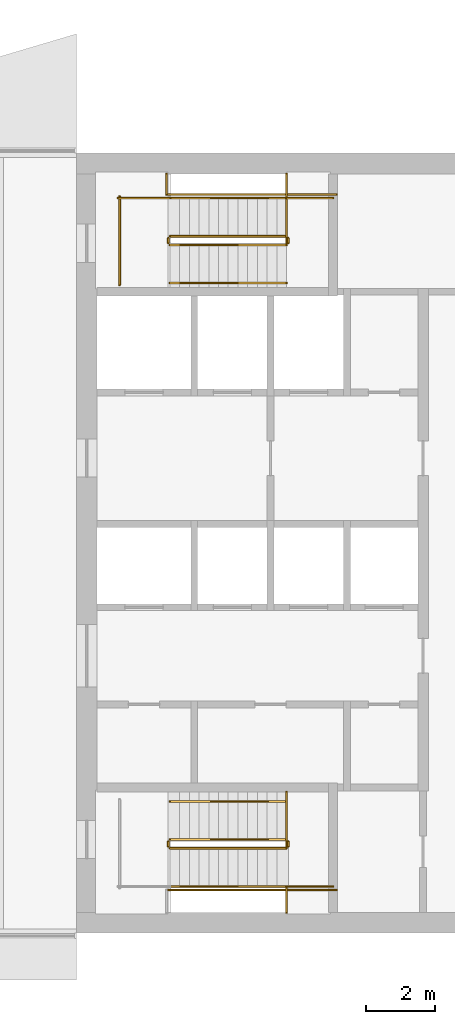
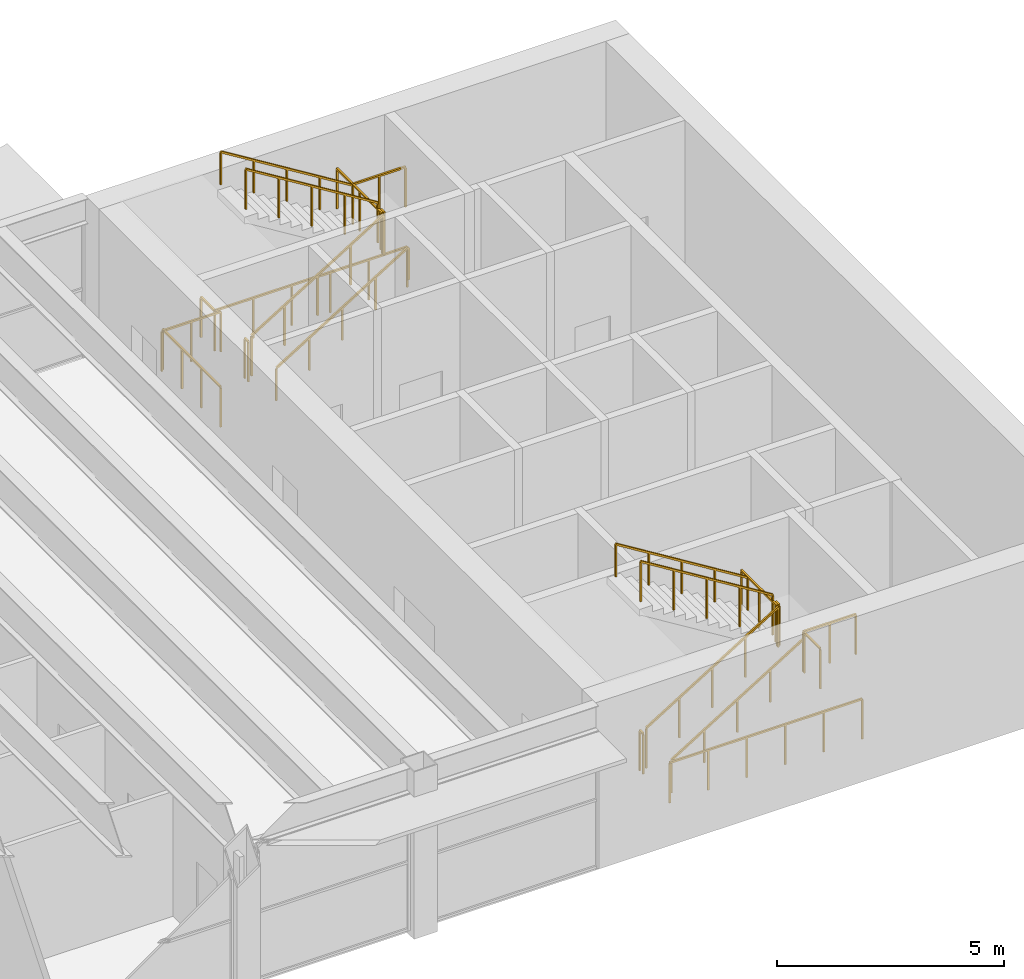
# One storey, part 14 of 14: 22 railings.
"""IFC4 building model written with IfcOpenShell, lengths in metres."""

from ifc_helpers import new_model, si_unit, direction, frame, origin, origin_2d, place, context, subcontext, project, spatial, rectangle, extrude, material, type_object, element, save


model = new_model("IFC4")

# Units and contexts
model_context = context("Model", 3, precision=1e-05, world=origin(), true_north=direction((0.0, 1.0)))
body_context = subcontext(model_context, "Body", "Model", "MODEL_VIEW")
ifc_project = project(units=[si_unit("LENGTHUNIT", "METRE"), si_unit("AREAUNIT", "SQUARE_METRE"), si_unit("VOLUMEUNIT", "CUBIC_METRE"), si_unit("PLANEANGLEUNIT", "RADIAN"), si_unit("MASSUNIT", "GRAM", prefix="KILO")], contexts=[model_context])

# Site, building, storey
site_placement = place(None, origin())
site = spatial("IfcSite", under=ifc_project, at=site_placement, CompositionType="ELEMENT")
building_placement = place(site_placement, origin())
building = spatial("IfcBuilding", under=site, at=building_placement, Name="Sennacour Bend Tower", CompositionType="ELEMENT")
storey_placement = place(building_placement, frame((0.0, 0.0, 314.0)))
storey = spatial("IfcBuildingStorey", under=building, at=storey_placement, Name="L72", CompositionType="ELEMENT", Elevation=314.0)

# Railings
ifc_material = material(Name="Stainless steel", Category="steel")
railing_type_1 = type_object("IfcRailingType", Name="RL-GUARD-1100", PredefinedType="GUARDRAIL", material=ifc_material)
railing_1_placement = place(storey_placement, frame((56.699951171875, 2.449951171875, 0.173095703125)))
element("IfcRailing", 1, at=railing_1_placement, inside=storey, type_object=railing_type_1, Name="L72 SA1 stair guard 1", PredefinedType="GUARDRAIL", context=body_context, shape_type="SweptSolid", body=[
    extrude(rectangle(XDim=0.048095703125, YDim=0.048095703125, at=origin_2d()), frame((0.0, 0.0, 1.076171875), z_axis=(0.850623216509, 0.0, 0.525775754039), x_axis=(0.0, 1.0, 0.0)), (0.0, 0.0, 1.0), 3.9501953125),
    extrude(rectangle(XDim=0.0419921875, YDim=0.0419921875, at=origin_2d()), origin(), (0.0, 0.0, 1.0), 1.052001953125),
    extrude(rectangle(XDim=0.0419921875, YDim=0.0419921875, at=origin_2d()), frame((0.840087890625, 0.0, 0.519287109375)), (0.0, 0.0, 1.0), 1.052001953125),
    extrude(rectangle(XDim=0.0419921875, YDim=0.0419921875, at=origin_2d()), frame((1.68017578125, 0.0, 1.03857421875)), (0.0, 0.0, 1.0), 1.052001953125),
    extrude(rectangle(XDim=0.0419921875, YDim=0.0419921875, at=origin_2d()), frame((2.52001953125, 0.0, 1.5576171875)), (0.0, 0.0, 1.0), 1.052001953125),
    extrude(rectangle(XDim=0.0419921875, YDim=0.0419921875, at=origin_2d()), frame((3.360107421875, 0.0, 2.076904296875)), (0.0, 0.0, 1.0), 1.052001953125),
])
railing_2_placement = place(storey_placement, frame((60.110107421875, 2.5, 2.25)))
element("IfcRailing", 2, at=railing_2_placement, inside=storey, type_object=railing_type_1, Name="L72 SA1 stair guard 2", PredefinedType="GUARDRAIL", context=body_context, shape_type="SweptSolid", body=[
    extrude(rectangle(XDim=0.048095703125, YDim=0.048095703125, at=origin_2d()), frame((0.0, 0.0, 1.076171875), z_axis=(0.0, 1.0, 0.0), x_axis=(-1.0, 0.0, 0.0)), (0.0, 0.0, 1.0), 0.14990234375),
    extrude(rectangle(XDim=0.0419921875, YDim=0.0419921875, at=origin_2d()), origin(), (0.0, 0.0, 1.0), 1.052001953125),
    extrude(rectangle(XDim=0.0419921875, YDim=0.0419921875, at=origin_2d()), frame((0.0, 0.14990234375, 0.0)), (0.0, 0.0, 1.0), 1.052001953125),
])
railing_3_placement = place(storey_placement, frame((60.06005859375, 1.35009765625, 2.25)))
element("IfcRailing", 3, at=railing_3_placement, inside=storey, type_object=railing_type_1, Name="L72 SA1 stair guard 3", PredefinedType="GUARDRAIL", context=body_context, shape_type="SweptSolid", body=[
    extrude(rectangle(XDim=0.048095703125, YDim=0.048095703125, at=origin_2d()), frame((0.0, 0.0, 1.076171875), z_axis=(1.0, 0.0, 0.0), x_axis=(0.0, 1.0, 0.0)), (0.0, 0.0, 1.0), 1.33984375),
    extrude(rectangle(XDim=0.0419921875, YDim=0.0419921875, at=origin_2d()), origin(), (0.0, 0.0, 1.0), 1.052001953125),
    extrude(rectangle(XDim=0.0419921875, YDim=0.0419921875, at=origin_2d()), frame((0.669921875, 0.0, 0.0)), (0.0, 0.0, 1.0), 1.052001953125),
    extrude(rectangle(XDim=0.0419921875, YDim=0.0419921875, at=origin_2d()), frame((1.33984375, 0.0, 0.0)), (0.0, 0.0, 1.0), 1.052001953125),
])
railing_4_placement = place(storey_placement, frame((60.06005859375, 2.699951171875, 2.423095703125)))
element("IfcRailing", 4, at=railing_4_placement, inside=storey, type_object=railing_type_1, Name="L72 SA1 stair guard 4", PredefinedType="GUARDRAIL", context=body_context, shape_type="SweptSolid", body=[
    extrude(rectangle(XDim=0.048095703125, YDim=0.048095703125, at=origin_2d()), frame((0.0, 0.0, 1.076171875), z_axis=(-0.850623216509, 0.0, 0.525775754039), x_axis=(0.0, -1.0, 0.0)), (0.0, 0.0, 1.0), 3.9501953125),
    extrude(rectangle(XDim=0.0419921875, YDim=0.0419921875, at=origin_2d()), origin(), (0.0, 0.0, 1.0), 1.052001953125),
    extrude(rectangle(XDim=0.0419921875, YDim=0.0419921875, at=origin_2d()), frame((-0.840087890625, 0.0, 0.519287109375)), (0.0, 0.0, 1.0), 1.052001953125),
    extrude(rectangle(XDim=0.0419921875, YDim=0.0419921875, at=origin_2d()), frame((-1.68017578125, 0.0, 1.03857421875)), (0.0, 0.0, 1.0), 1.052001953125),
    extrude(rectangle(XDim=0.0419921875, YDim=0.0419921875, at=origin_2d()), frame((-2.52001953125, 0.0, 1.5576171875)), (0.0, 0.0, 1.0), 1.052001953125),
    extrude(rectangle(XDim=0.0419921875, YDim=0.0419921875, at=origin_2d()), frame((-3.360107421875, 0.0, 2.076904296875)), (0.0, 0.0, 1.0), 1.052001953125),
])
railing_5_placement = place(storey_placement, frame((56.64990234375, 2.5, 0.0)))
element("IfcRailing", 5, at=railing_5_placement, inside=storey, type_object=railing_type_1, Name="L72 SA1 stair guard 5", PredefinedType="GUARDRAIL", context=body_context, shape_type="SweptSolid", body=[
    extrude(rectangle(XDim=0.048095703125, YDim=0.048095703125, at=origin_2d()), frame((0.0, 0.0, 1.076171875), z_axis=(0.0, 1.0, 0.0), x_axis=(-1.0, 0.0, 0.0)), (0.0, 0.0, 1.0), 0.14990234375),
    extrude(rectangle(XDim=0.0419921875, YDim=0.0419921875, at=origin_2d()), origin(), (0.0, 0.0, 1.0), 1.052001953125),
    extrude(rectangle(XDim=0.0419921875, YDim=0.0419921875, at=origin_2d()), frame((0.0, 0.14990234375, 0.0)), (0.0, 0.0, 1.0), 1.052001953125),
])
railing_6_placement = place(storey_placement, frame((56.60009765625, 1.25, 0.0)))
element("IfcRailing", 6, at=railing_6_placement, inside=storey, type_object=railing_type_1, Name="L72 SA1 stair guard 8", PredefinedType="GUARDRAIL", context=body_context, shape_type="SweptSolid", body=[
    extrude(rectangle(XDim=0.048095703125, YDim=0.048095703125, at=origin_2d()), frame((0.0, 0.0, 1.076171875), z_axis=(1.0, 0.0, 0.0), x_axis=(0.0, 1.0, 0.0)), (0.0, 0.0, 1.0), 4.89990234375),
    extrude(rectangle(XDim=0.0419921875, YDim=0.0419921875, at=origin_2d()), origin(), (0.0, 0.0, 1.0), 1.052001953125),
    extrude(rectangle(XDim=0.0419921875, YDim=0.0419921875, at=origin_2d()), frame((0.97998046875, 0.0, 0.0)), (0.0, 0.0, 1.0), 1.052001953125),
    extrude(rectangle(XDim=0.0419921875, YDim=0.0419921875, at=origin_2d()), frame((1.9599609375, 0.0, 0.0)), (0.0, 0.0, 1.0), 1.052001953125),
    extrude(rectangle(XDim=0.0419921875, YDim=0.0419921875, at=origin_2d()), frame((2.93994140625, 0.0, 0.0)), (0.0, 0.0, 1.0), 1.052001953125),
    extrude(rectangle(XDim=0.0419921875, YDim=0.0419921875, at=origin_2d()), frame((3.919921875, 0.0, 0.0)), (0.0, 0.0, 1.0), 1.052001953125),
    extrude(rectangle(XDim=0.0419921875, YDim=0.0419921875, at=origin_2d()), frame((4.89990234375, 0.0, 0.0)), (0.0, 0.0, 1.0), 1.052001953125),
])
railing_7_placement = place(storey_placement, frame((60.06005859375, 0.60009765625, 2.25)))
element("IfcRailing", 7, at=railing_7_placement, inside=storey, type_object=railing_type_1, Name="L72 SA1 landing edge guard 117", PredefinedType="GUARDRAIL", context=body_context, shape_type="SweptSolid", body=[
    extrude(rectangle(XDim=0.048095703125, YDim=0.048095703125, at=origin_2d()), frame((0.0, 0.0, 1.076171875), z_axis=(0.0, 1.0, 0.0), x_axis=(-1.0, 0.0, 0.0)), (0.0, 0.0, 1.0), 0.699951171875),
    extrude(rectangle(XDim=0.0419921875, YDim=0.0419921875, at=origin_2d()), origin(), (0.0, 0.0, 1.0), 1.052001953125),
    extrude(rectangle(XDim=0.0419921875, YDim=0.0419921875, at=origin_2d()), frame((0.0, 0.699951171875, 0.0)), (0.0, 0.0, 1.0), 1.052001953125),
])
railing_8_placement = place(storey_placement, frame((60.06005859375, 2.5, 2.25)))
element("IfcRailing", 8, at=railing_8_placement, inside=storey, type_object=railing_type_1, Name="L72 SA1 landing edge guard 118", PredefinedType="GUARDRAIL", context=body_context, shape_type="SweptSolid", body=[
    extrude(rectangle(XDim=0.048095703125, YDim=0.048095703125, at=origin_2d()), frame((0.0, 0.0, 1.076171875), z_axis=(0.0, 1.0, 0.0), x_axis=(-1.0, 0.0, 0.0)), (0.0, 0.0, 1.0), 1.574951171875),
    extrude(rectangle(XDim=0.0419921875, YDim=0.0419921875, at=origin_2d()), origin(), (0.0, 0.0, 1.0), 1.052001953125),
    extrude(rectangle(XDim=0.0419921875, YDim=0.0419921875, at=origin_2d()), frame((0.0, 0.78759765625, 0.0)), (0.0, 0.0, 1.0), 1.052001953125),
    extrude(rectangle(XDim=0.0419921875, YDim=0.0419921875, at=origin_2d()), frame((0.0, 1.574951171875, 0.0)), (0.0, 0.0, 1.0), 1.052001953125),
])
railing_9_placement = place(storey_placement, frame((56.699951171875, 19.85009765625, 0.173095703125)))
element("IfcRailing", 9, at=railing_9_placement, inside=storey, type_object=railing_type_1, Name="L72 SA2 stair guard 1", PredefinedType="GUARDRAIL", context=body_context, shape_type="SweptSolid", body=[
    extrude(rectangle(XDim=0.048095703125, YDim=0.048095703125, at=origin_2d()), frame((0.0, 0.0, 1.076171875), z_axis=(0.850623216509, 0.0, 0.525775754039), x_axis=(0.0, 1.0, 0.0)), (0.0, 0.0, 1.0), 3.9501953125),
    extrude(rectangle(XDim=0.0419921875, YDim=0.0419921875, at=origin_2d()), origin(), (0.0, 0.0, 1.0), 1.052001953125),
    extrude(rectangle(XDim=0.0419921875, YDim=0.0419921875, at=origin_2d()), frame((0.840087890625, 0.0, 0.519287109375)), (0.0, 0.0, 1.0), 1.052001953125),
    extrude(rectangle(XDim=0.0419921875, YDim=0.0419921875, at=origin_2d()), frame((1.68017578125, 0.0, 1.03857421875)), (0.0, 0.0, 1.0), 1.052001953125),
    extrude(rectangle(XDim=0.0419921875, YDim=0.0419921875, at=origin_2d()), frame((2.52001953125, 0.0, 1.5576171875)), (0.0, 0.0, 1.0), 1.052001953125),
    extrude(rectangle(XDim=0.0419921875, YDim=0.0419921875, at=origin_2d()), frame((3.360107421875, 0.0, 2.076904296875)), (0.0, 0.0, 1.0), 1.052001953125),
])
railing_10_placement = place(storey_placement, frame((60.110107421875, 19.89990234375, 2.25)))
element("IfcRailing", 10, at=railing_10_placement, inside=storey, type_object=railing_type_1, Name="L72 SA2 stair guard 2", PredefinedType="GUARDRAIL", context=body_context, shape_type="SweptSolid", body=[
    extrude(rectangle(XDim=0.048095703125, YDim=0.048095703125, at=origin_2d()), frame((0.0, 0.0, 1.076171875), z_axis=(0.0, 1.0, 0.0), x_axis=(-1.0, 0.0, 0.0)), (0.0, 0.0, 1.0), 0.150146484375),
    extrude(rectangle(XDim=0.0419921875, YDim=0.0419921875, at=origin_2d()), origin(), (0.0, 0.0, 1.0), 1.052001953125),
    extrude(rectangle(XDim=0.0419921875, YDim=0.0419921875, at=origin_2d()), frame((0.0, 0.150146484375, 0.0)), (0.0, 0.0, 1.0), 1.052001953125),
])
railing_11_placement = place(storey_placement, frame((60.06005859375, 21.199951171875, 2.25)))
element("IfcRailing", 11, at=railing_11_placement, inside=storey, type_object=railing_type_1, Name="L72 SA2 stair guard 3", PredefinedType="GUARDRAIL", context=body_context, shape_type="SweptSolid", body=[
    extrude(rectangle(XDim=0.048095703125, YDim=0.048095703125, at=origin_2d()), frame((0.0, 0.0, 1.076171875), z_axis=(1.0, 0.0, 0.0), x_axis=(0.0, 1.0, 0.0)), (0.0, 0.0, 1.0), 1.33984375),
    extrude(rectangle(XDim=0.0419921875, YDim=0.0419921875, at=origin_2d()), origin(), (0.0, 0.0, 1.0), 1.052001953125),
    extrude(rectangle(XDim=0.0419921875, YDim=0.0419921875, at=origin_2d()), frame((0.669921875, 0.0, 0.0)), (0.0, 0.0, 1.0), 1.052001953125),
    extrude(rectangle(XDim=0.0419921875, YDim=0.0419921875, at=origin_2d()), frame((1.33984375, 0.0, 0.0)), (0.0, 0.0, 1.0), 1.052001953125),
])
railing_12_placement = place(storey_placement, frame((60.06005859375, 20.10009765625, 2.423095703125)))
element("IfcRailing", 12, at=railing_12_placement, inside=storey, type_object=railing_type_1, Name="L72 SA2 stair guard 4", PredefinedType="GUARDRAIL", context=body_context, shape_type="SweptSolid", body=[
    extrude(rectangle(XDim=0.048095703125, YDim=0.048095703125, at=origin_2d()), frame((0.0, 0.0, 1.076171875), z_axis=(-0.850623216509, 0.0, 0.525775754039), x_axis=(0.0, -1.0, 0.0)), (0.0, 0.0, 1.0), 3.9501953125),
    extrude(rectangle(XDim=0.0419921875, YDim=0.0419921875, at=origin_2d()), origin(), (0.0, 0.0, 1.0), 1.052001953125),
    extrude(rectangle(XDim=0.0419921875, YDim=0.0419921875, at=origin_2d()), frame((-0.840087890625, 0.0, 0.519287109375)), (0.0, 0.0, 1.0), 1.052001953125),
    extrude(rectangle(XDim=0.0419921875, YDim=0.0419921875, at=origin_2d()), frame((-1.68017578125, 0.0, 1.03857421875)), (0.0, 0.0, 1.0), 1.052001953125),
    extrude(rectangle(XDim=0.0419921875, YDim=0.0419921875, at=origin_2d()), frame((-2.52001953125, 0.0, 1.5576171875)), (0.0, 0.0, 1.0), 1.052001953125),
    extrude(rectangle(XDim=0.0419921875, YDim=0.0419921875, at=origin_2d()), frame((-3.360107421875, 0.0, 2.076904296875)), (0.0, 0.0, 1.0), 1.052001953125),
])
railing_13_placement = place(storey_placement, frame((56.64990234375, 19.89990234375, 0.0)))
element("IfcRailing", 13, at=railing_13_placement, inside=storey, type_object=railing_type_1, Name="L72 SA2 stair guard 5", PredefinedType="GUARDRAIL", context=body_context, shape_type="SweptSolid", body=[
    extrude(rectangle(XDim=0.048095703125, YDim=0.048095703125, at=origin_2d()), frame((0.0, 0.0, 1.076171875), z_axis=(0.0, 1.0, 0.0), x_axis=(-1.0, 0.0, 0.0)), (0.0, 0.0, 1.0), 0.150146484375),
    extrude(rectangle(XDim=0.0419921875, YDim=0.0419921875, at=origin_2d()), origin(), (0.0, 0.0, 1.0), 1.052001953125),
    extrude(rectangle(XDim=0.0419921875, YDim=0.0419921875, at=origin_2d()), frame((0.0, 0.150146484375, 0.0)), (0.0, 0.0, 1.0), 1.052001953125),
])
railing_14_placement = place(storey_placement, frame((55.199951171875, 21.199951171875, 0.0)))
element("IfcRailing", 14, at=railing_14_placement, inside=storey, type_object=railing_type_1, Name="L72 SA2 stair guard 6", PredefinedType="GUARDRAIL", context=body_context, shape_type="SweptSolid", body=[
    extrude(rectangle(XDim=0.048095703125, YDim=0.048095703125, at=origin_2d()), frame((0.0, 0.0, 1.076171875), z_axis=(1.0, 0.0, 0.0), x_axis=(0.0, 1.0, 0.0)), (0.0, 0.0, 1.0), 1.5),
    extrude(rectangle(XDim=0.0419921875, YDim=0.0419921875, at=origin_2d()), origin(), (0.0, 0.0, 1.0), 1.052001953125),
    extrude(rectangle(XDim=0.0419921875, YDim=0.0419921875, at=origin_2d()), frame((0.75, 0.0, 0.0)), (0.0, 0.0, 1.0), 1.052001953125),
    extrude(rectangle(XDim=0.0419921875, YDim=0.0419921875, at=origin_2d()), frame((1.5, 0.0, 0.0)), (0.0, 0.0, 1.0), 1.052001953125),
])
railing_15_placement = place(storey_placement, frame((55.25, 18.699951171875, 0.0)))
element("IfcRailing", 15, at=railing_15_placement, inside=storey, type_object=railing_type_1, Name="L72 SA2 stair guard 7", PredefinedType="GUARDRAIL", context=body_context, shape_type="SweptSolid", body=[
    extrude(rectangle(XDim=0.048095703125, YDim=0.048095703125, at=origin_2d()), frame((0.0, 0.0, 1.076171875), z_axis=(0.0, 1.0, 0.0), x_axis=(-1.0, 0.0, 0.0)), (0.0, 0.0, 1.0), 2.550048828125),
    extrude(rectangle(XDim=0.0419921875, YDim=0.0419921875, at=origin_2d()), origin(), (0.0, 0.0, 1.0), 1.052001953125),
    extrude(rectangle(XDim=0.0419921875, YDim=0.0419921875, at=origin_2d()), frame((0.0, 0.85009765625, 0.0)), (0.0, 0.0, 1.0), 1.052001953125),
    extrude(rectangle(XDim=0.0419921875, YDim=0.0419921875, at=origin_2d()), frame((0.0, 1.699951171875, 0.0)), (0.0, 0.0, 1.0), 1.052001953125),
    extrude(rectangle(XDim=0.0419921875, YDim=0.0419921875, at=origin_2d()), frame((0.0, 2.550048828125, 0.0)), (0.0, 0.0, 1.0), 1.052001953125),
])
railing_16_placement = place(storey_placement, frame((56.60009765625, 21.300048828125, 0.0)))
element("IfcRailing", 16, at=railing_16_placement, inside=storey, type_object=railing_type_1, Name="L72 SA2 stair guard 8", PredefinedType="GUARDRAIL", context=body_context, shape_type="SweptSolid", body=[
    extrude(rectangle(XDim=0.048095703125, YDim=0.048095703125, at=origin_2d()), frame((0.0, 0.0, 1.076171875), z_axis=(1.0, 0.0, 0.0), x_axis=(0.0, 1.0, 0.0)), (0.0, 0.0, 1.0), 4.89990234375),
    extrude(rectangle(XDim=0.0419921875, YDim=0.0419921875, at=origin_2d()), origin(), (0.0, 0.0, 1.0), 1.052001953125),
    extrude(rectangle(XDim=0.0419921875, YDim=0.0419921875, at=origin_2d()), frame((0.97998046875, 0.0, 0.0)), (0.0, 0.0, 1.0), 1.052001953125),
    extrude(rectangle(XDim=0.0419921875, YDim=0.0419921875, at=origin_2d()), frame((1.9599609375, 0.0, 0.0)), (0.0, 0.0, 1.0), 1.052001953125),
    extrude(rectangle(XDim=0.0419921875, YDim=0.0419921875, at=origin_2d()), frame((2.93994140625, 0.0, 0.0)), (0.0, 0.0, 1.0), 1.052001953125),
    extrude(rectangle(XDim=0.0419921875, YDim=0.0419921875, at=origin_2d()), frame((3.919921875, 0.0, 0.0)), (0.0, 0.0, 1.0), 1.052001953125),
    extrude(rectangle(XDim=0.0419921875, YDim=0.0419921875, at=origin_2d()), frame((4.89990234375, 0.0, 0.0)), (0.0, 0.0, 1.0), 1.052001953125),
])
railing_17_placement = place(storey_placement, frame((60.06005859375, 19.89990234375, 2.25)))
element("IfcRailing", 17, at=railing_17_placement, inside=storey, type_object=railing_type_1, Name="L72 SA2 landing edge guard 95", PredefinedType="GUARDRAIL", context=body_context, shape_type="SweptSolid", body=[
    extrude(rectangle(XDim=0.048095703125, YDim=0.048095703125, at=origin_2d()), frame((0.0, 0.0, 1.076171875), z_axis=(0.0, 1.0, 0.0), x_axis=(-1.0, 0.0, 0.0)), (0.0, 0.0, 1.0), 2.0),
    extrude(rectangle(XDim=0.0419921875, YDim=0.0419921875, at=origin_2d()), origin(), (0.0, 0.0, 1.0), 1.052001953125),
    extrude(rectangle(XDim=0.0419921875, YDim=0.0419921875, at=origin_2d()), frame((0.0, 1.0, 0.0)), (0.0, 0.0, 1.0), 1.052001953125),
    extrude(rectangle(XDim=0.0419921875, YDim=0.0419921875, at=origin_2d()), frame((0.0, 2.0, 0.0)), (0.0, 0.0, 1.0), 1.052001953125),
])
railing_18_placement = place(storey_placement, frame((56.60009765625, 21.300048828125, 0.0)))
element("IfcRailing", 18, at=railing_18_placement, inside=storey, type_object=railing_type_1, Name="L72 SA2 landing edge guard 126", PredefinedType="GUARDRAIL", context=body_context, shape_type="SweptSolid", body=[
    extrude(rectangle(XDim=0.048095703125, YDim=0.048095703125, at=origin_2d()), frame((0.0, 0.0, 1.076171875), z_axis=(0.0, 1.0, 0.0), x_axis=(-1.0, 0.0, 0.0)), (0.0, 0.0, 1.0), 0.599853515625),
    extrude(rectangle(XDim=0.0419921875, YDim=0.0419921875, at=origin_2d()), origin(), (0.0, 0.0, 1.0), 1.052001953125),
    extrude(rectangle(XDim=0.0419921875, YDim=0.0419921875, at=origin_2d()), frame((0.0, 0.599853515625, 0.0)), (0.0, 0.0, 1.0), 1.052001953125),
])
railing_type_2 = type_object("IfcRailingType", Name="RL-HANDRAIL-900", PredefinedType="HANDRAIL", material=ifc_material)
railing_19_placement = place(storey_placement, frame((56.699951171875, 1.35009765625, 0.173095703125)))
element("IfcRailing", 19, at=railing_19_placement, inside=storey, type_object=railing_type_2, Name="L72 SA1 stair handrail 1", PredefinedType="HANDRAIL", context=body_context, shape_type="SweptSolid", body=[
    extrude(rectangle(XDim=0.048095703125, YDim=0.048095703125, at=origin_2d()), frame((0.0, 0.0, 0.8759765625), z_axis=(0.850623216509, 0.0, 0.525775754039), x_axis=(0.0, 1.0, 0.0)), (0.0, 0.0, 1.0), 3.9501953125),
    extrude(rectangle(XDim=0.0419921875, YDim=0.0419921875, at=origin_2d()), origin(), (0.0, 0.0, 1.0), 0.851806640625),
    extrude(rectangle(XDim=0.0419921875, YDim=0.0419921875, at=origin_2d()), frame((0.840087890625, 0.0, 0.519287109375)), (0.0, 0.0, 1.0), 0.851806640625),
    extrude(rectangle(XDim=0.0419921875, YDim=0.0419921875, at=origin_2d()), frame((1.68017578125, 0.0, 1.03857421875)), (0.0, 0.0, 1.0), 0.851806640625),
    extrude(rectangle(XDim=0.0419921875, YDim=0.0419921875, at=origin_2d()), frame((2.52001953125, 0.0, 1.5576171875)), (0.0, 0.0, 1.0), 0.851806640625),
    extrude(rectangle(XDim=0.0419921875, YDim=0.0419921875, at=origin_2d()), frame((3.360107421875, 0.0, 2.076904296875)), (0.0, 0.0, 1.0), 0.851806640625),
])
railing_20_placement = place(storey_placement, frame((60.06005859375, 3.800048828125, 2.423095703125)))
element("IfcRailing", 20, at=railing_20_placement, inside=storey, type_object=railing_type_2, Name="L72 SA1 stair handrail 2", PredefinedType="HANDRAIL", context=body_context, shape_type="SweptSolid", body=[
    extrude(rectangle(XDim=0.048095703125, YDim=0.048095703125, at=origin_2d()), frame((0.0, 0.0, 0.8759765625), z_axis=(-0.850623216509, 0.0, 0.525775754039), x_axis=(0.0, -1.0, 0.0)), (0.0, 0.0, 1.0), 3.9501953125),
    extrude(rectangle(XDim=0.0419921875, YDim=0.0419921875, at=origin_2d()), origin(), (0.0, 0.0, 1.0), 0.851806640625),
    extrude(rectangle(XDim=0.0419921875, YDim=0.0419921875, at=origin_2d()), frame((-0.840087890625, 0.0, 0.519287109375)), (0.0, 0.0, 1.0), 0.851806640625),
    extrude(rectangle(XDim=0.0419921875, YDim=0.0419921875, at=origin_2d()), frame((-1.68017578125, 0.0, 1.03857421875)), (0.0, 0.0, 1.0), 0.851806640625),
    extrude(rectangle(XDim=0.0419921875, YDim=0.0419921875, at=origin_2d()), frame((-2.52001953125, 0.0, 1.5576171875)), (0.0, 0.0, 1.0), 0.851806640625),
    extrude(rectangle(XDim=0.0419921875, YDim=0.0419921875, at=origin_2d()), frame((-3.360107421875, 0.0, 2.076904296875)), (0.0, 0.0, 1.0), 0.851806640625),
])
railing_21_placement = place(storey_placement, frame((56.699951171875, 18.75, 0.173095703125)))
element("IfcRailing", 21, at=railing_21_placement, inside=storey, type_object=railing_type_2, Name="L72 SA2 stair handrail 1", PredefinedType="HANDRAIL", context=body_context, shape_type="SweptSolid", body=[
    extrude(rectangle(XDim=0.048095703125, YDim=0.048095703125, at=origin_2d()), frame((0.0, 0.0, 0.8759765625), z_axis=(0.850623216509, 0.0, 0.525775754039), x_axis=(0.0, 1.0, 0.0)), (0.0, 0.0, 1.0), 3.9501953125),
    extrude(rectangle(XDim=0.0419921875, YDim=0.0419921875, at=origin_2d()), origin(), (0.0, 0.0, 1.0), 0.851806640625),
    extrude(rectangle(XDim=0.0419921875, YDim=0.0419921875, at=origin_2d()), frame((0.840087890625, 0.0, 0.519287109375)), (0.0, 0.0, 1.0), 0.851806640625),
    extrude(rectangle(XDim=0.0419921875, YDim=0.0419921875, at=origin_2d()), frame((1.68017578125, 0.0, 1.03857421875)), (0.0, 0.0, 1.0), 0.851806640625),
    extrude(rectangle(XDim=0.0419921875, YDim=0.0419921875, at=origin_2d()), frame((2.52001953125, 0.0, 1.5576171875)), (0.0, 0.0, 1.0), 0.851806640625),
    extrude(rectangle(XDim=0.0419921875, YDim=0.0419921875, at=origin_2d()), frame((3.360107421875, 0.0, 2.076904296875)), (0.0, 0.0, 1.0), 0.851806640625),
])
railing_22_placement = place(storey_placement, frame((60.06005859375, 21.199951171875, 2.423095703125)))
element("IfcRailing", 22, at=railing_22_placement, inside=storey, type_object=railing_type_2, Name="L72 SA2 stair handrail 2", PredefinedType="HANDRAIL", context=body_context, shape_type="SweptSolid", body=[
    extrude(rectangle(XDim=0.048095703125, YDim=0.048095703125, at=origin_2d()), frame((0.0, 0.0, 0.8759765625), z_axis=(-0.850623216509, 0.0, 0.525775754039), x_axis=(0.0, -1.0, 0.0)), (0.0, 0.0, 1.0), 3.9501953125),
    extrude(rectangle(XDim=0.0419921875, YDim=0.0419921875, at=origin_2d()), origin(), (0.0, 0.0, 1.0), 0.851806640625),
    extrude(rectangle(XDim=0.0419921875, YDim=0.0419921875, at=origin_2d()), frame((-0.840087890625, 0.0, 0.519287109375)), (0.0, 0.0, 1.0), 0.851806640625),
    extrude(rectangle(XDim=0.0419921875, YDim=0.0419921875, at=origin_2d()), frame((-1.68017578125, 0.0, 1.03857421875)), (0.0, 0.0, 1.0), 0.851806640625),
    extrude(rectangle(XDim=0.0419921875, YDim=0.0419921875, at=origin_2d()), frame((-2.52001953125, 0.0, 1.5576171875)), (0.0, 0.0, 1.0), 0.851806640625),
    extrude(rectangle(XDim=0.0419921875, YDim=0.0419921875, at=origin_2d()), frame((-3.360107421875, 0.0, 2.076904296875)), (0.0, 0.0, 1.0), 0.851806640625),
])

save(model, "model.ifc")
